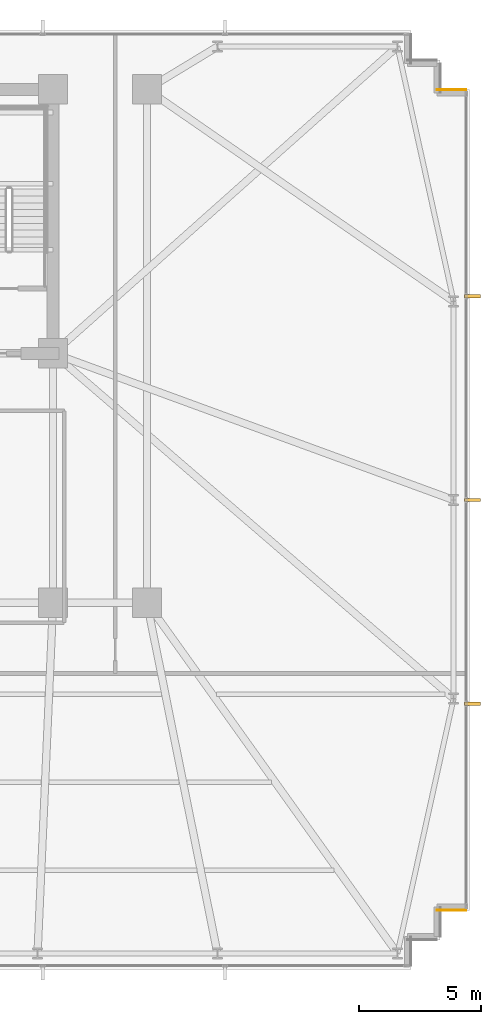
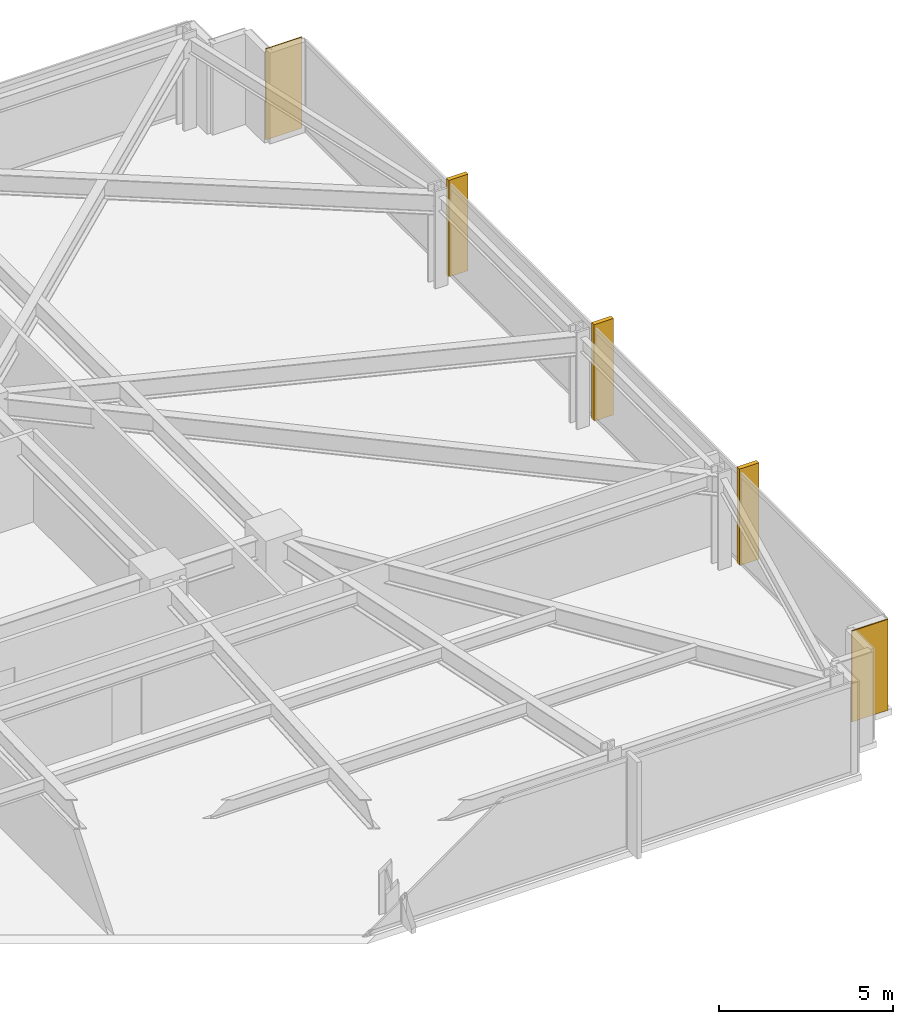
# One storey, part 33 of 33: 3 shading devices, 2 coverings.
"""IFC4 building model written with IfcOpenShell, lengths in metres."""

from ifc_helpers import new_model, si_unit, direction, frame, frame_2d, origin, origin_2d, place, context, subcontext, project, spatial, rectangle, extrude, material, layer, layer_set, type_object, element, save


model = new_model("IFC4")

# Units and contexts
model_context = context("Model", 3, precision=1e-05, world=origin(), true_north=direction((0.0, 1.0)))
body_context = subcontext(model_context, "Body", "Model", "MODEL_VIEW")
ifc_project = project(units=[si_unit("LENGTHUNIT", "METRE"), si_unit("AREAUNIT", "SQUARE_METRE"), si_unit("VOLUMEUNIT", "CUBIC_METRE"), si_unit("PLANEANGLEUNIT", "RADIAN"), si_unit("MASSUNIT", "GRAM", prefix="KILO")], contexts=[model_context])

# Site, building, storey
site_placement = place(None, origin())
site = spatial("IfcSite", under=ifc_project, at=site_placement, CompositionType="ELEMENT")
building_placement = place(site_placement, origin())
building = spatial("IfcBuilding", under=site, at=building_placement, Name="Yelkora Congress Tower", CompositionType="ELEMENT")
storey_placement = place(building_placement, frame((0.0, 0.0, 47.39990234375)))
storey = spatial("IfcBuildingStorey", under=building, at=storey_placement, Name="L11", CompositionType="ELEMENT", Elevation=47.39990234375)

# Coverings
ifc_material_1 = material(Name="Anatolian bush-hammered limestone", Category="masonry")
ifc_layer_1 = layer(ifc_material_1, 0.0400390625)
ifc_layer_set_1 = layer_set([ifc_layer_1], Name="Anatolian bush-hammered limestone")
covering_type = type_object("IfcCoveringType", Name="COV-CLAD-SPANDREL-40", PredefinedType="CLADDING", material=ifc_layer_set_1)
for number, where, z_axis, x_axis, name in (
    (1, (69.4599609375, 46.195068359375, 0.0), (0.0, 0.0, 1.0), (1.0, 0.0, 0.0), "L11 Anatolian Limestone Cladding EW-L11-SR14"),
    (2, (70.659912109375, 12.60498046875, 0.0), (0.0, 0.0, 1.0), (-1.0, 0.0, 0.0), "L11 Anatolian Limestone Cladding EW-L11-SR16"),
):
    element("IfcCovering", number, at=place(storey_placement, frame(where, z_axis=z_axis, x_axis=x_axis)), inside=storey, type_object=covering_type, Name=name, PredefinedType="CLADDING", context=body_context, shape_type="SweptSolid", body=[
        extrude(rectangle(XDim=1.199951171875, YDim=0.0400390625, at=frame_2d((0.60009765625, 0.0))), origin(), (0.0, 0.0, 1.0), 3.18017578125),
    ])

# Shading devices
ifc_material_2 = material(Name="Champagne anodised aluminium", Category="aluminium")
ifc_layer_2 = layer(ifc_material_2, 3.39990234375)
ifc_layer_set_2 = layer_set([ifc_layer_2], Name="Champagne anodised aluminium")
shading_device_type = type_object("IfcShadingDeviceType", Name="SHD-FIN-ALU-640", PredefinedType="USERDEFINED", material=ifc_layer_set_2)
for number, where, z_axis, x_axis, name in (
    (3, (70.919921875, 37.72998046875, -0.02978515625), (0.0, 0.0, 1.0), (0.0, -1.0, 0.0), "L11 Vertical Anodised Solar Fin 15-1"),
    (4, (70.919921875, 29.39990234375, -0.02978515625), (0.0, 0.0, 1.0), (0.0, -1.0, 0.0), "L11 Vertical Anodised Solar Fin 15-2"),
    (5, (70.919921875, 21.070068359375, -0.02978515625), (0.0, 0.0, 1.0), (0.0, -1.0, 0.0), "L11 Vertical Anodised Solar Fin 15-3"),
):
    element("IfcShadingDevice", number, at=place(storey_placement, frame(where, z_axis=z_axis, x_axis=x_axis)), inside=storey, type_object=shading_device_type, Name=name, ObjectType="FIN", PredefinedType="USERDEFINED", context=body_context, shape_type="SweptSolid", body=[
        extrude(rectangle(XDim=0.139892578125, YDim=0.639892578125, at=origin_2d()), origin(), (0.0, 0.0, 1.0), 3.3798828125),
    ])

save(model, "model.ifc")
